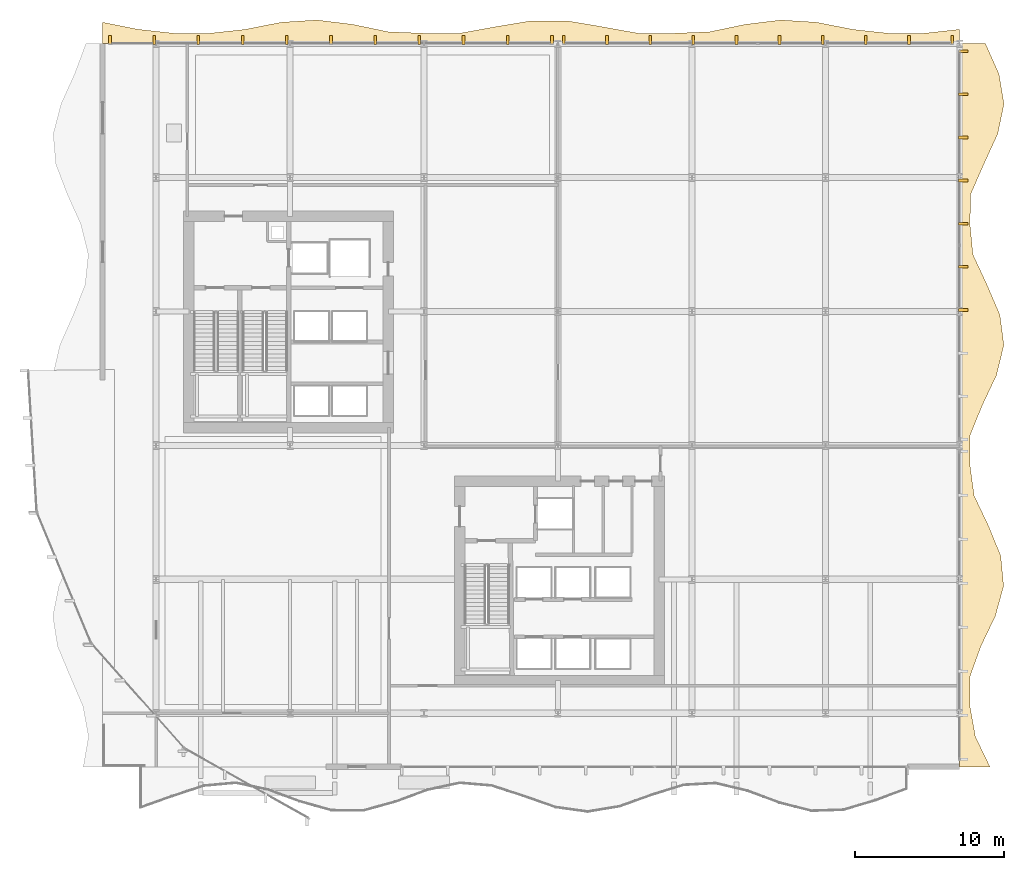
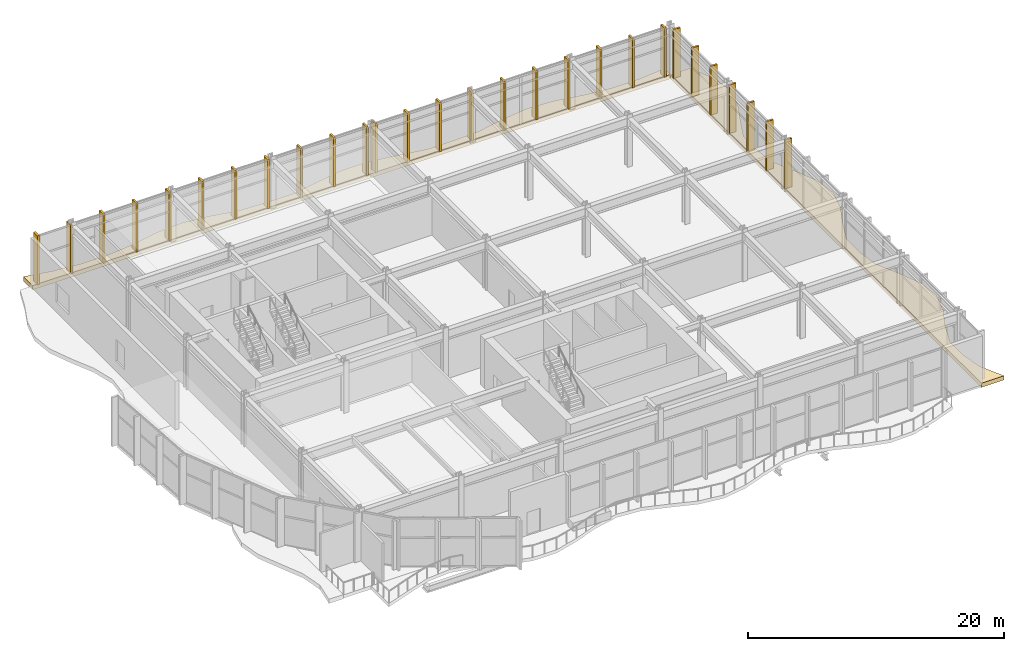
# One storey, part 27 of 28: 30 coverings.
"""IFC4 building model written with IfcOpenShell, lengths in metres."""

from ifc_helpers import new_model, si_unit, direction, frame, origin, origin_2d, place, context, subcontext, project, spatial, polyline, rectangle, outline, extrude, material, layer, layer_set, type_object, element, save


model = new_model("IFC4")

# Units and contexts
model_context = context("Model", 3, precision=1e-05, world=origin(), true_north=direction((0.0, 1.0)))
body_context = subcontext(model_context, "Body", "Model", "MODEL_VIEW")
ifc_project = project(units=[si_unit("LENGTHUNIT", "METRE"), si_unit("AREAUNIT", "SQUARE_METRE"), si_unit("VOLUMEUNIT", "CUBIC_METRE"), si_unit("PLANEANGLEUNIT", "RADIAN"), si_unit("MASSUNIT", "GRAM", prefix="KILO")], contexts=[model_context])

# Site, building, storey
site_placement = place(None, origin())
site = spatial("IfcSite", under=ifc_project, at=site_placement, CompositionType="ELEMENT")
building_placement = place(site_placement, origin())
building = spatial("IfcBuilding", under=site, at=building_placement, Name="Solvaryn Broadcast Tower", CompositionType="ELEMENT")
storey_placement = place(building_placement, frame((0.0, 0.0, 16.199951171875)))
storey = spatial("IfcBuildingStorey", under=building, at=storey_placement, Name="L03", CompositionType="ELEMENT", Elevation=16.199951171875)

# Coverings
ifc_material_1 = material(Name="Extruded Architectural Terracotta Fin", Category="masonry")
ifc_layer_1 = layer(ifc_material_1, 0.179931640625)
ifc_layer_set_1 = layer_set([ifc_layer_1], Name="CV-TC-FIN")
covering_type_1 = type_object("IfcCoveringType", Name="CV-TC-FIN", PredefinedType="USERDEFINED", material=ifc_layer_set_1)
for number, where, z_axis, x_axis, name in (
    (1, (5.89990234375, 54.25, 0.0), (0.0, 0.0, 1.0), (1.0, 0.0, 0.0), "L03 Terracotta Vertical Fin FIN-POD-L03-N1-00"),
    (2, (8.8701171875, 54.25, 0.0), (0.0, 0.0, 1.0), (1.0, 0.0, 0.0), "L03 Terracotta Vertical Fin FIN-POD-L03-N1-01"),
    (3, (11.840087890625, 54.25, 0.0), (0.0, 0.0, 1.0), (1.0, 0.0, 0.0), "L03 Terracotta Vertical Fin FIN-POD-L03-N1-02"),
    (4, (14.81005859375, 54.25, 0.0), (0.0, 0.0, 1.0), (1.0, 0.0, 0.0), "L03 Terracotta Vertical Fin FIN-POD-L03-N1-03"),
    (5, (17.780029296875, 54.25, 0.0), (0.0, 0.0, 1.0), (1.0, 0.0, 0.0), "L03 Terracotta Vertical Fin FIN-POD-L03-N1-04"),
    (6, (20.75, 54.25, 0.0), (0.0, 0.0, 1.0), (1.0, 0.0, 0.0), "L03 Terracotta Vertical Fin FIN-POD-L03-N1-05"),
    (7, (23.719970703125, 54.25, 0.0), (0.0, 0.0, 1.0), (1.0, 0.0, 0.0), "L03 Terracotta Vertical Fin FIN-POD-L03-N1-06"),
    (8, (26.68994140625, 54.25, 0.0), (0.0, 0.0, 1.0), (1.0, 0.0, 0.0), "L03 Terracotta Vertical Fin FIN-POD-L03-N1-07"),
    (9, (29.659912109375, 54.25, 0.0), (0.0, 0.0, 1.0), (1.0, 0.0, 0.0), "L03 Terracotta Vertical Fin FIN-POD-L03-N1-08"),
    (10, (32.6298828125, 54.25, 0.0), (0.0, 0.0, 1.0), (1.0, 0.0, 0.0), "L03 Terracotta Vertical Fin FIN-POD-L03-N1-09"),
    (11, (35.60009765625, 54.25, 0.0), (0.0, 0.0, 1.0), (1.0, 0.0, 0.0), "L03 Terracotta Vertical Fin FIN-POD-L03-N1-10"),
    (12, (36.39990234375, 54.25, 0.0), (0.0, 0.0, 1.0), (1.0, 0.0, 0.0), "L03 Terracotta Vertical Fin FIN-POD-L03-N2-00"),
    (13, (39.300048828125, 54.25, 0.0), (0.0, 0.0, 1.0), (1.0, 0.0, 0.0), "L03 Terracotta Vertical Fin FIN-POD-L03-N2-01"),
    (14, (42.199951171875, 54.25, 0.0), (0.0, 0.0, 1.0), (1.0, 0.0, 0.0), "L03 Terracotta Vertical Fin FIN-POD-L03-N2-02"),
    (15, (45.10009765625, 54.25, 0.0), (0.0, 0.0, 1.0), (1.0, 0.0, 0.0), "L03 Terracotta Vertical Fin FIN-POD-L03-N2-03"),
    (16, (48.0, 54.25, 0.0), (0.0, 0.0, 1.0), (1.0, 0.0, 0.0), "L03 Terracotta Vertical Fin FIN-POD-L03-N2-04"),
    (17, (50.89990234375, 54.25, 0.0), (0.0, 0.0, 1.0), (1.0, 0.0, 0.0), "L03 Terracotta Vertical Fin FIN-POD-L03-N2-05"),
    (18, (53.800048828125, 54.25, 0.0), (0.0, 0.0, 1.0), (1.0, 0.0, 0.0), "L03 Terracotta Vertical Fin FIN-POD-L03-N2-06"),
    (19, (56.699951171875, 54.25, 0.0), (0.0, 0.0, 1.0), (1.0, 0.0, 0.0), "L03 Terracotta Vertical Fin FIN-POD-L03-N2-07"),
    (20, (59.60009765625, 54.25, 0.0), (0.0, 0.0, 1.0), (1.0, 0.0, 0.0), "L03 Terracotta Vertical Fin FIN-POD-L03-N2-08"),
    (21, (62.5, 54.25, 0.0), (0.0, 0.0, 1.0), (1.0, 0.0, 0.0), "L03 Terracotta Vertical Fin FIN-POD-L03-N2-09"),
):
    element("IfcCovering", number, at=place(storey_placement, frame(where, z_axis=z_axis, x_axis=x_axis)), inside=storey, type_object=covering_type_1, Name=name, ObjectType="FIN", PredefinedType="USERDEFINED", context=body_context, shape_type="SweptSolid", body=[
        extrude(rectangle(XDim=0.179931640625, YDim=0.6201171875, at=origin_2d()), origin(), (0.0, 0.0, 1.0), 4.679931640625),
    ])
for number, where, z_axis, x_axis, name in (
    (22, (63.25, 53.5, 0.0), (0.0, 0.0, 1.0), (1.0, 0.0, 0.0), "L03 Terracotta Vertical Fin FIN-POD-L03-E1-00"),
    (23, (63.25, 50.60009765625, 0.0), (0.0, 0.0, 1.0), (1.0, 0.0, 0.0), "L03 Terracotta Vertical Fin FIN-POD-L03-E1-01"),
    (24, (63.25, 47.699951171875, 0.0), (0.0, 0.0, 1.0), (1.0, 0.0, 0.0), "L03 Terracotta Vertical Fin FIN-POD-L03-E1-02"),
    (25, (63.25, 44.800048828125, 0.0), (0.0, 0.0, 1.0), (1.0, 0.0, 0.0), "L03 Terracotta Vertical Fin FIN-POD-L03-E1-03"),
    (26, (63.25, 41.89990234375, 0.0), (0.0, 0.0, 1.0), (1.0, 0.0, 0.0), "L03 Terracotta Vertical Fin FIN-POD-L03-E1-04"),
    (27, (63.25, 39.0, 0.0), (0.0, 0.0, 1.0), (1.0, 0.0, 0.0), "L03 Terracotta Vertical Fin FIN-POD-L03-E1-05"),
    (28, (63.25, 36.10009765625, 0.0), (0.0, 0.0, 1.0), (1.0, 0.0, 0.0), "L03 Terracotta Vertical Fin FIN-POD-L03-E1-06"),
):
    element("IfcCovering", number, at=place(storey_placement, frame(where, z_axis=z_axis, x_axis=x_axis)), inside=storey, type_object=covering_type_1, Name=name, ObjectType="FIN", PredefinedType="USERDEFINED", context=body_context, shape_type="SweptSolid", body=[
        extrude(rectangle(XDim=0.6201171875, YDim=0.179931640625, at=origin_2d()), origin(), (0.0, 0.0, 1.0), 4.679931640625),
    ])
ifc_material_2 = material(Name="Sculpted Architectural Terracotta Wave Fascia", Category="masonry")
ifc_layer_2 = layer(ifc_material_2, 0.340087890625)
ifc_layer_set_2 = layer_set([ifc_layer_2], Name="CV-WAVE-TRAY")
covering_type_2 = type_object("IfcCoveringType", Name="CV-WAVE-TRAY", PredefinedType="CLADDING", material=ifc_layer_set_2)
covering_1_placement = place(storey_placement, frame((0.0, 0.0, -0.35986328125)))
element("IfcCovering", 29, at=covering_1_placement, inside=storey, type_object=covering_type_2, Name="L03 Spreading Wave Tray Apron N", PredefinedType="CLADDING", context=body_context, shape_type="SweptSolid", body=[
    extrude(outline(polyline([(5.39990234375, 54.0), (7.800048828125, 54.0), (10.199951171875, 54.0), (12.60009765625, 54.0), (15.0, 54.0), (17.39990234375, 54.0), (19.800048828125, 54.0), (22.199951171875, 54.0), (24.60009765625, 54.0), (27.0, 54.0), (29.39990234375, 54.0), (31.800048828125, 54.0), (34.199951171875, 54.0), (36.60009765625, 54.0), (39.0, 54.0), (41.39990234375, 54.0), (43.800048828125, 54.0), (46.199951171875, 54.0), (48.60009765625, 54.0), (51.0, 54.0), (53.39990234375, 54.0), (55.800048828125, 54.0), (58.199951171875, 54.0), (60.60009765625, 54.0), (63.0, 54.0), (63.0, 54.964111328125), (60.60009765625, 54.699951171875), (58.199951171875, 54.699951171875), (55.800048828125, 54.964111328125), (53.39990234375, 55.43896484375), (51.0, 55.593017578125), (48.60009765625, 55.300048828125), (46.199951171875, 54.800048828125), (43.800048828125, 54.699951171875), (41.39990234375, 54.699951171875), (39.0, 55.135986328125), (36.60009765625, 55.5400390625), (34.199951171875, 55.5400390625), (31.800048828125, 55.135986328125), (29.39990234375, 54.699951171875), (27.0, 54.699951171875), (24.60009765625, 54.800048828125), (22.199951171875, 55.300048828125), (19.800048828125, 55.593017578125), (17.39990234375, 55.43896484375), (15.0, 54.964111328125), (12.60009765625, 54.699951171875), (10.199951171875, 54.699951171875), (7.800048828125, 54.964111328125), (5.39990234375, 55.43896484375), (5.39990234375, 54.0)])), origin(), (0.0, 0.0, 1.0), 0.39990234375),
])
covering_2_placement = place(storey_placement, frame((0.0, 0.0, -0.35986328125)))
element("IfcCovering", 30, at=covering_2_placement, inside=storey, type_object=covering_type_2, Name="L03 Spreading Wave Tray Apron E", PredefinedType="CLADDING", context=body_context, shape_type="SweptSolid", body=[
    extrude(outline(polyline([(65.0400390625, 5.39990234375), (64.06201171875, 7.425048828125), (63.699951171875, 9.449951171875), (63.699951171875, 11.47509765625), (64.428955078125, 13.5), (65.40087890625, 15.52490234375), (65.958984375, 17.550048828125), (65.76806640625, 19.574951171875), (64.94189453125, 21.60009765625), (63.97802734375, 23.625), (63.699951171875, 25.64990234375), (63.699951171875, 27.675048828125), (64.527099609375, 29.699951171875), (65.48291015625, 31.72509765625), (65.97509765625, 33.75), (65.708984375, 35.77490234375), (64.843017578125, 37.800048828125), (63.89794921875, 39.824951171875), (63.699951171875, 41.85009765625), (63.742919921875, 43.875), (64.626953125, 45.89990234375), (65.56005859375, 47.925048828125), (65.98388671875, 49.949951171875), (65.64306640625, 51.97509765625), (64.742919921875, 54.0), (63.0, 54.0), (63.0, 51.97509765625), (63.0, 49.949951171875), (63.0, 47.925048828125), (63.0, 45.89990234375), (63.0, 43.875), (63.0, 41.85009765625), (63.0, 39.824951171875), (63.0, 37.800048828125), (63.0, 35.77490234375), (63.0, 33.75), (63.0, 31.72509765625), (63.0, 29.699951171875), (63.0, 27.675048828125), (63.0, 25.64990234375), (63.0, 23.625), (63.0, 21.60009765625), (63.0, 19.574951171875), (63.0, 17.550048828125), (63.0, 15.52490234375), (63.0, 13.5), (63.0, 11.47509765625), (63.0, 9.449951171875), (63.0, 7.425048828125), (63.0, 5.39990234375), (65.0400390625, 5.39990234375)])), origin(), (0.0, 0.0, 1.0), 0.39990234375),
])

save(model, "model.ifc")
